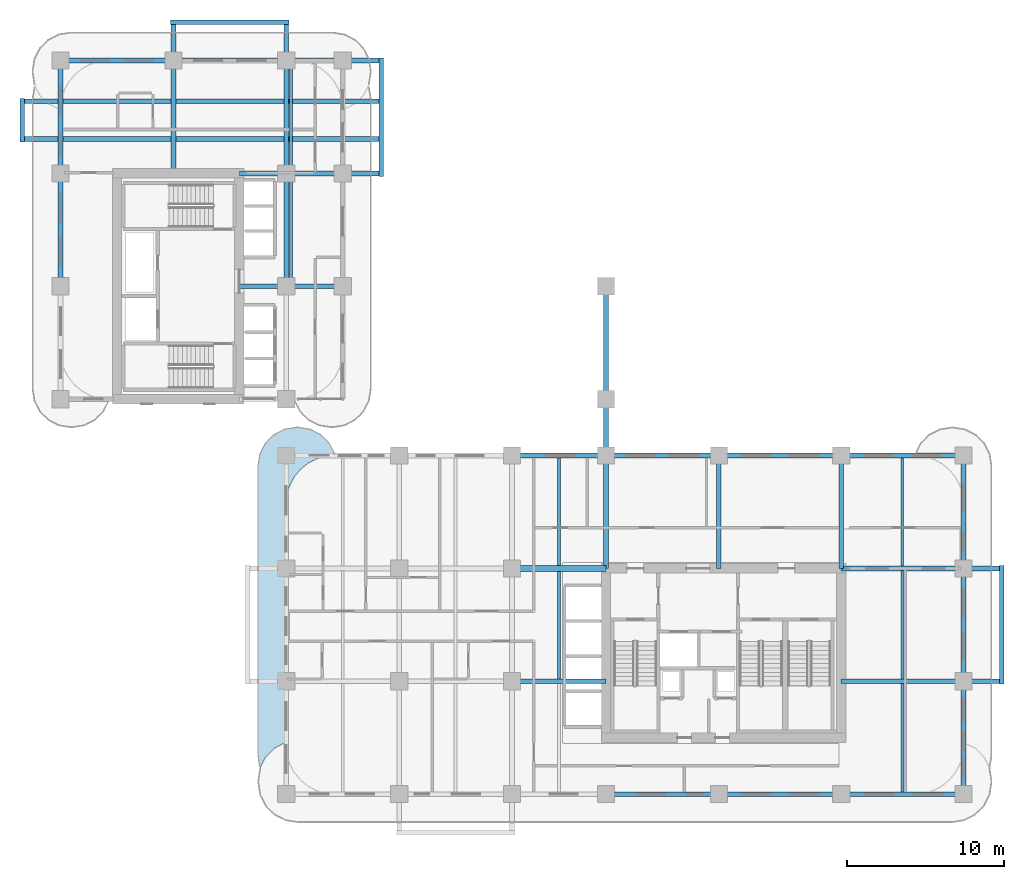
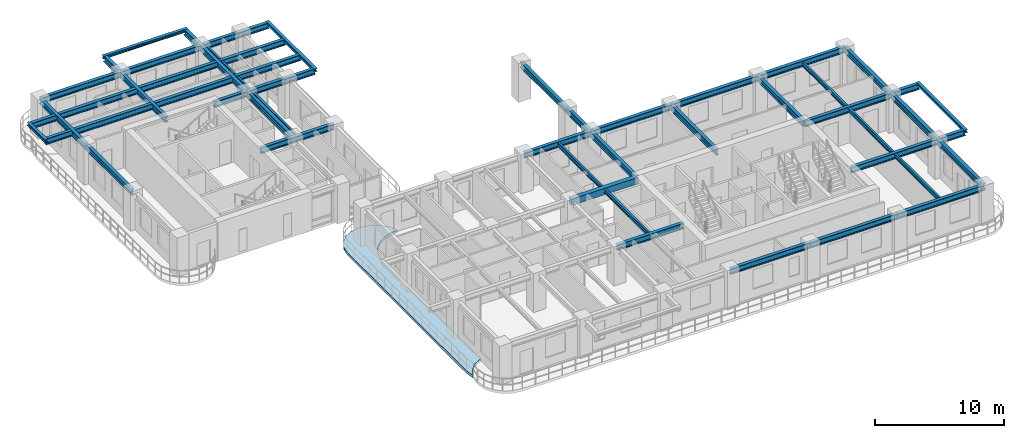
# One storey, part 3 of 19: 41 beams, 1 slab.
"""IFC4 building model written with IfcOpenShell, lengths in metres."""

from ifc_helpers import new_model, si_unit, derived_unit, direction, frame, origin, origin_2d, place, context, subcontext, project, spatial, polyline, rectangle, i_section, outline, extrude, source, transform, mapped, material, layer, layer_set, material_profile, profile_set, type_object, type_shapes, element, save


model = new_model("IFC4")

# Units and contexts
model_context = context("Model", 3, precision=1e-05, world=origin(), true_north=direction((0.0, 1.0)))
body_context = subcontext(model_context, "Body", "Model", "MODEL_VIEW")
ifc_project = project(units=[si_unit("LENGTHUNIT", "METRE"), si_unit("AREAUNIT", "SQUARE_METRE"), si_unit("VOLUMEUNIT", "CUBIC_METRE"), si_unit("PLANEANGLEUNIT", "RADIAN"), si_unit("MASSUNIT", "GRAM", prefix="KILO"), si_unit("THERMODYNAMICTEMPERATUREUNIT", "KELVIN"), si_unit("POWERUNIT", "WATT"), derived_unit("THERMALTRANSMITTANCEUNIT", [(si_unit("POWERUNIT", "WATT"), 1), (si_unit("AREAUNIT", "SQUARE_METRE"), -1), (si_unit("THERMODYNAMICTEMPERATUREUNIT", "KELVIN"), -1)])], contexts=[model_context])

# Site, building, storey
site_placement = place(None, origin())
site = spatial("IfcSite", under=ifc_project, at=site_placement, CompositionType="ELEMENT")
building_placement = place(site_placement, origin())
building = spatial("IfcBuilding", under=site, at=building_placement, Name="Zahravan Archway Hotel and Residences", CompositionType="ELEMENT")
storey_placement = place(building_placement, frame((0.0, 0.0, 43.5)))
storey = spatial("IfcBuildingStorey", under=building, at=storey_placement, Name="L09", CompositionType="ELEMENT", Elevation=43.5)

# Beams
ifc_material_1 = material(Name="Structural Steel S355JR", Category="steel")
ifc_material_profile_1 = material_profile(ifc_material_1, i_section(OverallWidth=0.280029296875, OverallDepth=0.280029296875, WebThickness=0.010498046875, FlangeThickness=0.01806640625, FilletRadius=0.02392578125, at=origin_2d()), Name="HEB 280", Category="steel")
ifc_profile_set_1 = profile_set([ifc_material_profile_1], Name="Structural Steel S355JR")
beam_type_1 = type_object("IfcBeamType", Name="BM-SPN-HEB280", PredefinedType="SPANDREL", material=ifc_profile_set_1)
shared_shape_1 = source(origin(), body_context, "Body", "SweptSolid", [
    extrude(i_section(OverallWidth=0.280029296875, OverallDepth=0.280029296875, WebThickness=0.010498046875, FlangeThickness=0.01806640625, FilletRadius=0.02392578125, at=origin_2d()), origin(), (0.0, 0.0, 1.0), 7.56005859375),
])
type_shapes(beam_type_1, [shared_shape_1])
for number, where, z_axis, x_axis, name in (
    (1, (60.050048828125, 7.02001953125, 3.31005859375), (0.0, 1.0, 0.0), (-1.0, 0.0, 0.0), "L10 EA Balcony Edge Spandrel"),
    (2, (20.449951171875, 39.419921875, 3.31005859375), (0.0, 1.0, 0.0), (-1.0, 0.0, 0.0), "L10 EB Balcony Edge Spandrel"),
    (3, (7.02001953125, 49.25, 3.31005859375), (1.0, 0.0, 0.0), (0.0, 1.0, 0.0), "L10 NB Balcony Edge Spandrel"),
):
    element("IfcBeam", number, at=place(storey_placement, frame(where, z_axis=z_axis, x_axis=x_axis)), inside=storey, type_object=beam_type_1, Name=name, PredefinedType="SPANDREL", context=body_context, shape_type="MappedRepresentation", body=[
        mapped(shared_shape_1, transform((0.0, 0.0, 0.0), scale=1.0)),
    ])
shared_shape_2 = source(origin(), body_context, "Body", "SweptSolid", [
    extrude(i_section(OverallWidth=0.280029296875, OverallDepth=0.280029296875, WebThickness=0.010498046875, FlangeThickness=0.01806640625, FilletRadius=0.02392578125, at=origin_2d()), origin(), (0.0, 0.0, 1.0), 2.759765625),
])
beam_1_placement = place(storey_placement, frame((-2.449951171875, 41.6201171875, 3.31005859375), z_axis=(0.0, 1.0, 0.0), x_axis=(-1.0, 0.0, 0.0)))
element("IfcBeam", 4, at=beam_1_placement, inside=storey, type_object=beam_type_1, Name="L10 WB Balcony Edge Spandrel", PredefinedType="SPANDREL", context=body_context, shape_type="MappedRepresentation", body=[
    mapped(shared_shape_2, transform((0.0, 0.0, 0.0), scale=1.0)),
])
ifc_material_2 = material(Name="Concrete C60/75", Category="concrete")
ifc_material_profile_2 = material_profile(ifc_material_2, rectangle(XDim=0.39990234375, YDim=0.60009765625, at=origin_2d()), Name="RC-LNT-400x600", Category="concrete")
ifc_profile_set_2 = profile_set([ifc_material_profile_2], Name="Concrete C60/75")
beam_type_2 = type_object("IfcBeamType", Name="LNT-RC-400x600", PredefinedType="LINTEL", material=ifc_profile_set_2)
shared_shape_3 = source(origin(), body_context, "Body", "SweptSolid", [
    extrude(rectangle(XDim=0.39990234375, YDim=0.60009765625, at=origin_2d()), origin(), (0.0, 0.0, 1.0), 6.0),
])
type_shapes(beam_type_2, [shared_shape_3])
beam_2_placement = place(storey_placement, frame((28.800048828125, 14.39990234375, 3.14990234375), z_axis=(1.0, 0.0, 0.0), x_axis=(0.0, 1.0, 0.0)))
element("IfcBeam", 5, at=beam_2_placement, inside=storey, type_object=beam_type_2, Name="L09 Core A Coupling Lintel Beam", PredefinedType="LINTEL", context=body_context, shape_type="MappedRepresentation", body=[
    mapped(shared_shape_3, transform((0.0, 0.0, 0.0), scale=1.0)),
])
ifc_material_profile_3 = material_profile(ifc_material_1, i_section(OverallWidth=0.300048828125, OverallDepth=0.550048828125, WebThickness=0.014892578125, FlangeThickness=0.029052734375, FilletRadius=0.027099609375, at=origin_2d()), Name="HEB 550", Category="steel")
ifc_profile_set_3 = profile_set([ifc_material_profile_3], Name="Structural Steel S355JR")
beam_type_3 = type_object("IfcBeamType", Name="BM-PRI-HEB550", PredefinedType="BEAM", material=ifc_profile_set_3)
shared_shape_4 = source(origin(), body_context, "Body", "SweptSolid", [
    extrude(i_section(OverallWidth=0.300048828125, OverallDepth=0.550048828125, WebThickness=0.014892578125, FlangeThickness=0.029052734375, FilletRadius=0.027099609375, at=origin_2d()), origin(), (0.0, 0.0, 1.0), 7.2001953125),
])
type_shapes(beam_type_3, [shared_shape_4])
for number, where, z_axis, x_axis, name in (
    (6, (0.0, 32.39990234375, 3.175048828125), (0.0, 1.0, 0.0), (-1.0, 0.0, 0.0), "L09 Primary Girder NS-28"),
    (7, (14.39990234375, 32.39990234375, 3.175048828125), (0.0, 1.0, 0.0), (-1.0, 0.0, 0.0), "L09 Primary Girder NS-35"),
    (8, (34.800048828125, 14.39990234375, 3.175048828125), (0.0, 1.0, 0.0), (-1.0, 0.0, 0.0), "L09 Primary Girder NS-43"),
    (9, (42.0, 14.39990234375, 3.175048828125), (0.0, 1.0, 0.0), (-1.0, 0.0, 0.0), "L09 Primary Girder NS-46"),
    (10, (49.800048828125, 14.39990234375, 3.175048828125), (0.0, 1.0, 0.0), (-1.0, 0.0, 0.0), "L09 Primary Girder NS-47"),
    (11, (57.60009765625, 14.39990234375, 3.175048828125), (0.0, 1.0, 0.0), (-1.0, 0.0, 0.0), "L09 Primary Girder NS-50"),
):
    element("IfcBeam", number, at=place(storey_placement, frame(where, z_axis=z_axis, x_axis=x_axis)), inside=storey, type_object=beam_type_3, Name=name, PredefinedType="BEAM", context=body_context, shape_type="MappedRepresentation", body=[
        mapped(shared_shape_4, transform((0.0, 0.0, 0.0), scale=1.0)),
    ])
shared_shape_5 = source(origin(), body_context, "Body", "SweptSolid", [
    extrude(i_section(OverallWidth=0.300048828125, OverallDepth=0.550048828125, WebThickness=0.014892578125, FlangeThickness=0.029052734375, FilletRadius=0.027099609375, at=origin_2d()), origin(), (0.0, 0.0, 1.0), 7.199951171875),
])
for number, where, z_axis, x_axis, name in (
    (12, (34.800048828125, 0.0, 3.175048828125), (1.0, 0.0, 0.0), (0.0, 1.0, 0.0), "L09 Primary Girder EW-04"),
    (13, (34.800048828125, 21.60009765625, 3.175048828125), (1.0, 0.0, 0.0), (0.0, 1.0, 0.0), "L09 Primary Girder EW-17"),
    (14, (0.0, 46.800048828125, 3.175048828125), (1.0, 0.0, 0.0), (0.0, 1.0, 0.0), "L09 Primary Girder EW-23"),
    (15, (0.0, 39.60009765625, 3.175048828125), (0.0, 1.0, 0.0), (-1.0, 0.0, 0.0), "L09 Primary Girder NS-29"),
    (16, (34.800048828125, 25.199951171875, 3.175048828125), (0.0, 1.0, 0.0), (-1.0, 0.0, 0.0), "L09 Primary Girder NS-45"),
    (17, (57.60009765625, 0.0, 3.175048828125), (0.0, 1.0, 0.0), (-1.0, 0.0, 0.0), "L09 Primary Girder NS-48"),
    (18, (57.60009765625, 7.199951171875, 3.175048828125), (0.0, 1.0, 0.0), (-1.0, 0.0, 0.0), "L09 Primary Girder NS-49"),
):
    element("IfcBeam", number, at=place(storey_placement, frame(where, z_axis=z_axis, x_axis=x_axis)), inside=storey, type_object=beam_type_3, Name=name, PredefinedType="BEAM", context=body_context, shape_type="MappedRepresentation", body=[
        mapped(shared_shape_5, transform((0.0, 0.0, 0.0), scale=1.0)),
    ])
shared_shape_6 = source(origin(), body_context, "Body", "SweptSolid", [
    extrude(i_section(OverallWidth=0.300048828125, OverallDepth=0.550048828125, WebThickness=0.014892578125, FlangeThickness=0.029052734375, FilletRadius=0.027099609375, at=origin_2d()), origin(), (0.0, 0.0, 1.0), 6.0),
])
for number, where, z_axis, x_axis, name in (
    (19, (28.800048828125, 7.199951171875, 3.175048828125), (1.0, 0.0, 0.0), (0.0, 1.0, 0.0), "L09 Primary Girder EW-09"),
    (20, (28.800048828125, 21.60009765625, 3.175048828125), (1.0, 0.0, 0.0), (0.0, 1.0, 0.0), "L09 Primary Girder EW-16"),
):
    element("IfcBeam", number, at=place(storey_placement, frame(where, z_axis=z_axis, x_axis=x_axis)), inside=storey, type_object=beam_type_3, Name=name, PredefinedType="BEAM", context=body_context, shape_type="MappedRepresentation", body=[
        mapped(shared_shape_6, transform((0.0, 0.0, 0.0), scale=1.0)),
    ])
shared_shape_7 = source(origin(), body_context, "Body", "SweptSolid", [
    extrude(i_section(OverallWidth=0.300048828125, OverallDepth=0.550048828125, WebThickness=0.014892578125, FlangeThickness=0.029052734375, FilletRadius=0.027099609375, at=origin_2d()), origin(), (0.0, 0.0, 1.0), 7.800048828125),
])
for number, where, z_axis, x_axis, name in (
    (21, (42.0, 0.0, 3.175048828125), (1.0, 0.0, 0.0), (0.0, 1.0, 0.0), "L09 Primary Girder EW-05"),
    (22, (49.800048828125, 0.0, 3.175048828125), (1.0, 0.0, 0.0), (0.0, 1.0, 0.0), "L09 Primary Girder EW-06"),
    (23, (42.0, 21.60009765625, 3.175048828125), (1.0, 0.0, 0.0), (0.0, 1.0, 0.0), "L09 Primary Girder EW-18"),
    (24, (49.800048828125, 21.60009765625, 3.175048828125), (1.0, 0.0, 0.0), (0.0, 1.0, 0.0), "L09 Primary Girder EW-19"),
):
    element("IfcBeam", number, at=place(storey_placement, frame(where, z_axis=z_axis, x_axis=x_axis)), inside=storey, type_object=beam_type_3, Name=name, PredefinedType="BEAM", context=body_context, shape_type="MappedRepresentation", body=[
        mapped(shared_shape_7, transform((0.0, 0.0, 0.0), scale=1.0)),
    ])
shared_shape_8 = source(origin(), body_context, "Body", "SweptSolid", [
    extrude(i_section(OverallWidth=0.300048828125, OverallDepth=0.550048828125, WebThickness=0.014892578125, FlangeThickness=0.029052734375, FilletRadius=0.027099609375, at=origin_2d()), origin(), (0.0, 0.0, 1.0), 6.60009765625),
])
beam_3_placement = place(storey_placement, frame((11.39990234375, 32.39990234375, 3.175048828125), z_axis=(1.0, 0.0, 0.0), x_axis=(0.0, 1.0, 0.0)))
element("IfcBeam", 25, at=beam_3_placement, inside=storey, type_object=beam_type_3, Name="L09 Primary Girder EW-21", PredefinedType="BEAM", context=body_context, shape_type="MappedRepresentation", body=[
    mapped(shared_shape_8, transform((0.0, 0.0, 0.0), scale=1.0)),
])
shared_shape_9 = source(origin(), body_context, "Body", "SweptSolid", [
    extrude(i_section(OverallWidth=0.300048828125, OverallDepth=0.550048828125, WebThickness=0.014892578125, FlangeThickness=0.029052734375, FilletRadius=0.027099609375, at=origin_2d()), origin(), (0.0, 0.0, 1.0), 3.599853515625),
])
beam_4_placement = place(storey_placement, frame((34.800048828125, 21.60009765625, 3.175048828125), z_axis=(0.0, 1.0, 0.0), x_axis=(-1.0, 0.0, 0.0)))
element("IfcBeam", 26, at=beam_4_placement, inside=storey, type_object=beam_type_3, Name="L09 Primary Girder NS-44", PredefinedType="BEAM", context=body_context, shape_type="MappedRepresentation", body=[
    mapped(shared_shape_9, transform((0.0, 0.0, 0.0), scale=1.0)),
])
ifc_material_profile_4 = material_profile(ifc_material_1, i_section(OverallWidth=0.179931640625, OverallDepth=0.39990234375, WebThickness=0.008544921875, FlangeThickness=0.013427734375, FilletRadius=0.02099609375, at=origin_2d()), Name="IPE 400", Category="steel")
ifc_profile_set_4 = profile_set([ifc_material_profile_4], Name="Structural Steel S355JR")
beam_type_4 = type_object("IfcBeamType", Name="BM-JST-IPE400", PredefinedType="JOIST", material=ifc_profile_set_4)
shared_shape_10 = source(origin(), body_context, "Body", "SweptSolid", [
    extrude(i_section(OverallWidth=0.179931640625, OverallDepth=0.39990234375, WebThickness=0.008544921875, FlangeThickness=0.013427734375, FilletRadius=0.02099609375, at=origin_2d()), origin(), (0.0, 0.0, 1.0), 6.904052734375),
])
type_shapes(beam_type_4, [shared_shape_10])
for number, where, z_axis, x_axis, name in (
    (27, (53.699951171875, 0.14794921875, 3.25), (0.0, 1.0, 0.0), (-1.0, 0.0, 0.0), "L09 Composite Floor Joist 04"),
    (28, (53.699951171875, 7.347900390625, 3.25), (0.0, 1.0, 0.0), (-1.0, 0.0, 0.0), "L09 Composite Floor Joist 08"),
    (29, (14.699951171875, 39.748046875, 3.25), (0.0, 1.0, 0.0), (-1.0, 0.0, 0.0), "L09 Composite Floor Joist 14"),
):
    element("IfcBeam", number, at=place(storey_placement, frame(where, z_axis=z_axis, x_axis=x_axis)), inside=storey, type_object=beam_type_4, Name=name, PredefinedType="JOIST", context=body_context, shape_type="MappedRepresentation", body=[
        mapped(shared_shape_10, transform((0.0, 0.0, 0.0), scale=1.0)),
    ])
shared_shape_11 = source(origin(), body_context, "Body", "SweptSolid", [
    extrude(i_section(OverallWidth=0.179931640625, OverallDepth=0.39990234375, WebThickness=0.008544921875, FlangeThickness=0.013427734375, FilletRadius=0.02099609375, at=origin_2d()), origin(), (0.0, 0.0, 1.0), 6.85400390625),
])
for number, where, z_axis, x_axis, name in (
    (30, (31.800048828125, 7.347900390625, 3.25), (0.0, 1.0, 0.0), (-1.0, 0.0, 0.0), "L09 Composite Floor Joist 07"),
    (31, (31.800048828125, 14.597900390625, 3.25), (0.0, 1.0, 0.0), (-1.0, 0.0, 0.0), "L09 Composite Floor Joist 09"),
):
    element("IfcBeam", number, at=place(storey_placement, frame(where, z_axis=z_axis, x_axis=x_axis)), inside=storey, type_object=beam_type_4, Name=name, PredefinedType="JOIST", context=body_context, shape_type="MappedRepresentation", body=[
        mapped(shared_shape_11, transform((0.0, 0.0, 0.0), scale=1.0)),
    ])
shared_shape_12 = source(origin(), body_context, "Body", "SweptSolid", [
    extrude(i_section(OverallWidth=0.179931640625, OverallDepth=0.39990234375, WebThickness=0.008544921875, FlangeThickness=0.013427734375, FilletRadius=0.02099609375, at=origin_2d()), origin(), (0.0, 0.0, 1.0), 6.90380859375),
])
for number, where, z_axis, x_axis, name in (
    (32, (53.699951171875, 14.548095703125, 3.25), (0.0, 1.0, 0.0), (-1.0, 0.0, 0.0), "L09 Composite Floor Joist 12"),
    (33, (14.699951171875, 32.548095703125, 3.25), (0.0, 1.0, 0.0), (-1.0, 0.0, 0.0), "L09 Composite Floor Joist 13"),
):
    element("IfcBeam", number, at=place(storey_placement, frame(where, z_axis=z_axis, x_axis=x_axis)), inside=storey, type_object=beam_type_4, Name=name, PredefinedType="JOIST", context=body_context, shape_type="MappedRepresentation", body=[
        mapped(shared_shape_12, transform((0.0, 0.0, 0.0), scale=1.0)),
    ])
shared_shape_13 = source(origin(), body_context, "Body", "SweptSolid", [
    extrude(i_section(OverallWidth=0.300048828125, OverallDepth=0.550048828125, WebThickness=0.014892578125, FlangeThickness=0.029052734375, FilletRadius=0.027099609375, at=origin_2d()), origin(), (0.0, 0.0, 1.0), 10.25),
])
for number, where, z_axis, x_axis, name in (
    (34, (49.800048828125, 7.199951171875, 3.175048828125), (1.0, 0.0, 0.0), (0.0, 1.0, 0.0), "L09 Primary Girder EW-10"),
    (35, (49.800048828125, 14.39990234375, 3.175048828125), (1.0, 0.0, 0.0), (0.0, 1.0, 0.0), "L09 Primary Girder EW-13"),
):
    element("IfcBeam", number, at=place(storey_placement, frame(where, z_axis=z_axis, x_axis=x_axis)), inside=storey, type_object=beam_type_3, Name=name, PredefinedType="BEAM", context=body_context, shape_type="MappedRepresentation", body=[
        mapped(shared_shape_13, transform((0.0, 0.0, 0.0), scale=1.0)),
    ])
shared_shape_14 = source(origin(), body_context, "Body", "SweptSolid", [
    extrude(i_section(OverallWidth=0.300048828125, OverallDepth=0.550048828125, WebThickness=0.014892578125, FlangeThickness=0.029052734375, FilletRadius=0.027099609375, at=origin_2d()), origin(), (0.0, 0.0, 1.0), 9.050048828125),
])
beam_5_placement = place(storey_placement, frame((11.39990234375, 39.60009765625, 3.175048828125), z_axis=(1.0, 0.0, 0.0), x_axis=(0.0, 1.0, 0.0)))
element("IfcBeam", 36, at=beam_5_placement, inside=storey, type_object=beam_type_3, Name="L09 Primary Girder EW-22", PredefinedType="BEAM", context=body_context, shape_type="MappedRepresentation", body=[
    mapped(shared_shape_14, transform((0.0, 0.0, 0.0), scale=1.0)),
])
shared_shape_15 = source(origin(), body_context, "Body", "SweptSolid", [
    extrude(i_section(OverallWidth=0.300048828125, OverallDepth=0.550048828125, WebThickness=0.014892578125, FlangeThickness=0.029052734375, FilletRadius=0.027099609375, at=origin_2d()), origin(), (0.0, 0.0, 1.0), 13.25),
])
beam_6_placement = place(storey_placement, frame((7.199951171875, 46.800048828125, 3.175048828125), z_axis=(1.0, 0.0, 0.0), x_axis=(0.0, 1.0, 0.0)))
element("IfcBeam", 37, at=beam_6_placement, inside=storey, type_object=beam_type_3, Name="L09 Primary Girder EW-24", PredefinedType="BEAM", context=body_context, shape_type="MappedRepresentation", body=[
    mapped(shared_shape_15, transform((0.0, 0.0, 0.0), scale=1.0)),
])
shared_shape_16 = source(origin(), body_context, "Body", "SweptSolid", [
    extrude(i_section(OverallWidth=0.300048828125, OverallDepth=0.550048828125, WebThickness=0.014892578125, FlangeThickness=0.029052734375, FilletRadius=0.027099609375, at=origin_2d()), origin(), (0.0, 0.0, 1.0), 22.89990234375),
])
for number, where, z_axis, x_axis, name in (
    (38, (-2.449951171875, 41.800048828125, 3.175048828125), (1.0, 0.0, 0.0), (0.0, 1.0, 0.0), "L09 Primary Girder EW-25"),
    (39, (-2.449951171875, 44.199951171875, 3.175048828125), (1.0, 0.0, 0.0), (0.0, 1.0, 0.0), "L09 Primary Girder EW-26"),
):
    element("IfcBeam", number, at=place(storey_placement, frame(where, z_axis=z_axis, x_axis=x_axis)), inside=storey, type_object=beam_type_3, Name=name, PredefinedType="BEAM", context=body_context, shape_type="MappedRepresentation", body=[
        mapped(shared_shape_16, transform((0.0, 0.0, 0.0), scale=1.0)),
    ])
shared_shape_17 = source(origin(), body_context, "Body", "SweptSolid", [
    extrude(i_section(OverallWidth=0.300048828125, OverallDepth=0.550048828125, WebThickness=0.014892578125, FlangeThickness=0.029052734375, FilletRadius=0.027099609375, at=origin_2d()), origin(), (0.0, 0.0, 1.0), 9.64990234375),
])
for number, where, z_axis, x_axis, name in (
    (40, (7.199951171875, 39.60009765625, 3.175048828125), (0.0, 1.0, 0.0), (-1.0, 0.0, 0.0), "L09 Primary Girder NS-30"),
    (41, (14.39990234375, 39.60009765625, 3.175048828125), (0.0, 1.0, 0.0), (-1.0, 0.0, 0.0), "L09 Primary Girder NS-36"),
):
    element("IfcBeam", number, at=place(storey_placement, frame(where, z_axis=z_axis, x_axis=x_axis)), inside=storey, type_object=beam_type_3, Name=name, PredefinedType="BEAM", context=body_context, shape_type="MappedRepresentation", body=[
        mapped(shared_shape_17, transform((0.0, 0.0, 0.0), scale=1.0)),
    ])

# Slab
ifc_material_3 = material(Name="Concrete C45/55", Category="concrete")
ifc_layer = layer(ifc_material_3, 0.25, Name="Concrete C45/55", Category="concrete")
ifc_layer_set = layer_set([ifc_layer], Name="Concrete C45/55")
slab_type = type_object("IfcSlabType", Name="SLB-BALC-250", PredefinedType="FLOOR", material=ifc_layer_set)
slab_placement = place(storey_placement, frame((0.0, 0.0, -0.25)))
element("IfcSlab", 42, at=slab_placement, inside=storey, type_object=slab_type, Name="L09 Wing A West Rounded Balcony Band", PredefinedType="FLOOR", context=body_context, shape_type="SweptSolid", body=[
    extrude(outline(polyline([(12.719970703125, 1.69287109375), (12.60009765625, 2.449951171875), (12.60009765625, 20.949951171875), (12.719970703125, 21.70703125), (13.06787109375, 22.39013671875), (13.60986328125, 22.93212890625), (14.29296875, 23.280029296875), (15.050048828125, 23.39990234375), (15.14990234375, 23.39990234375), (15.906982421875, 23.280029296875), (16.590087890625, 22.93212890625), (17.132080078125, 22.39013671875), (17.47998046875, 21.70703125), (17.493896484375, 21.619384765625), (16.893310546875, 21.560302734375), (16.891357421875, 21.56005859375), (16.889404296875, 21.5595703125), (16.307861328125, 21.383056640625), (16.305908203125, 21.382568359375), (16.30419921875, 21.381591796875), (15.768310546875, 21.09521484375), (15.7666015625, 21.09423828125), (15.764892578125, 21.093017578125), (15.29541015625, 20.70751953125), (15.2939453125, 20.7060546875), (15.29248046875, 20.70458984375), (14.906982421875, 20.235107421875), (14.90576171875, 20.2333984375), (14.90478515625, 20.231689453125), (14.618408203125, 19.69580078125), (14.617431640625, 19.694091796875), (14.616943359375, 19.692138671875), (14.4404296875, 19.110595703125), (14.43994140625, 19.108642578125), (14.439697265625, 19.106689453125), (14.380126953125, 18.501953125), (14.3798828125, 18.5), (14.3798828125, 3.298095703125), (14.37890625, 3.298095703125), (14.376953125, 3.2978515625), (14.35888671875, 3.294921875), (14.356689453125, 3.29443359375), (14.354736328125, 3.2939453125), (14.352783203125, 3.29296875), (13.64208984375, 2.930908203125), (13.64013671875, 2.9296875), (13.638427734375, 2.928466796875), (13.636962890625, 2.927001953125), (13.072998046875, 2.363037109375), (13.071533203125, 2.361572265625), (13.0703125, 2.35986328125), (13.069091796875, 2.35791015625), (12.72509765625, 1.6826171875), (12.719970703125, 1.69287109375)])), origin(), (0.0, 0.0, 1.0), 0.25),
])

save(model, "model.ifc")
